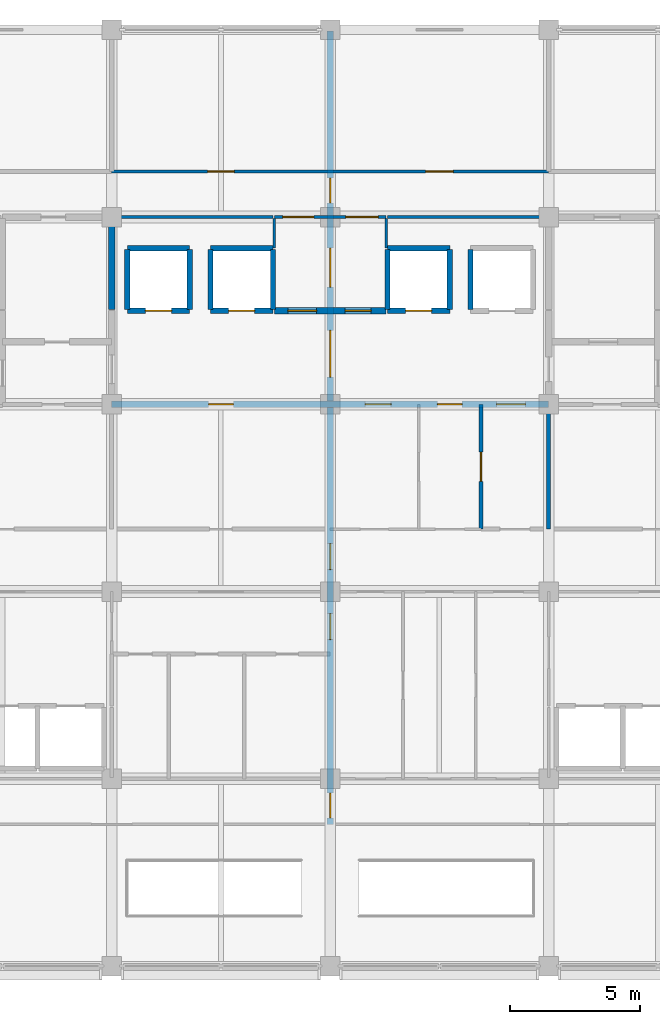
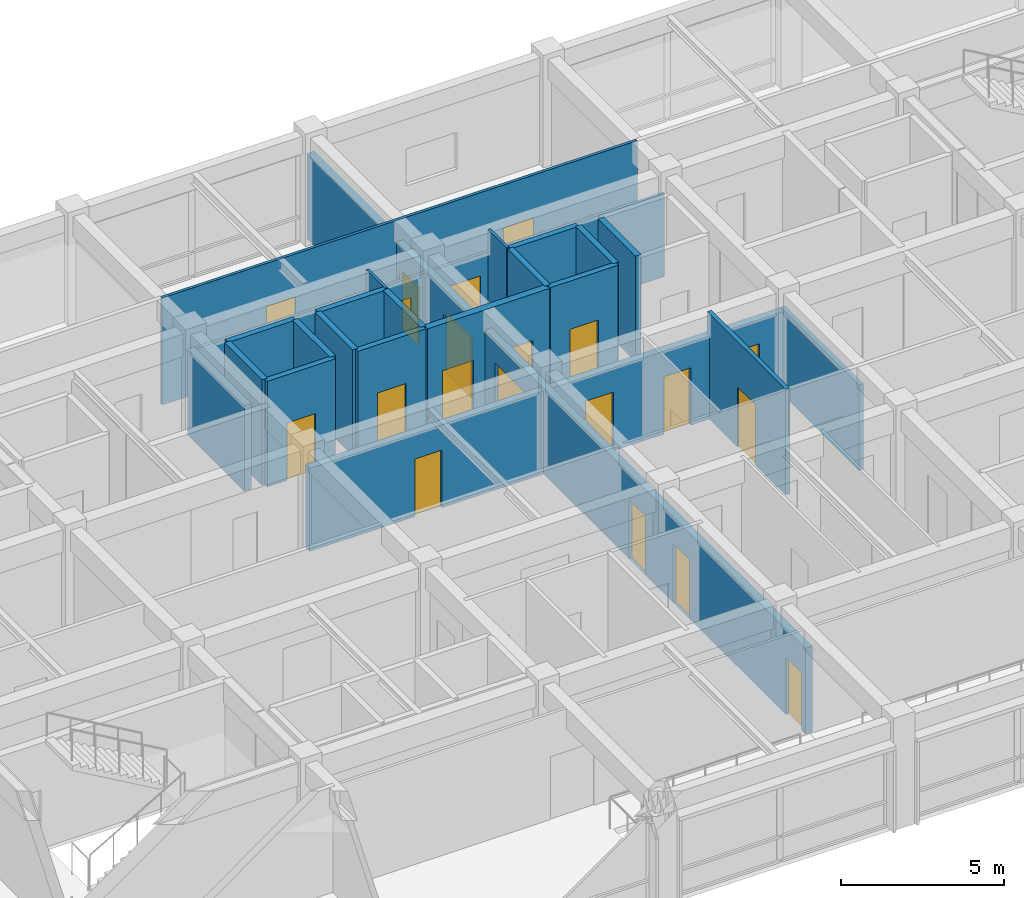
# One storey, part 16 of 23: 25 walls, 20 doors, 20 openings.
"""IFC4 building model written with IfcOpenShell, lengths in metres."""

from ifc_helpers import new_model, si_unit, direction, frame, frame_2d, origin, place, context, subcontext, project, spatial, rectangle, extrude, material, layer, layer_set, type_object, element, fill, save


model = new_model("IFC4")

# Units and contexts
model_context = context("Model", 3, precision=1e-05, world=origin(), true_north=direction((0.0, 1.0)))
body_context = subcontext(model_context, "Body", "Model", "MODEL_VIEW")
ifc_project = project(units=[si_unit("LENGTHUNIT", "METRE"), si_unit("AREAUNIT", "SQUARE_METRE"), si_unit("VOLUMEUNIT", "CUBIC_METRE"), si_unit("PLANEANGLEUNIT", "RADIAN"), si_unit("MASSUNIT", "GRAM", prefix="KILO")], contexts=[model_context])

# Site, building, storey
site_placement = place(None, origin())
site = spatial("IfcSite", under=ifc_project, at=site_placement, CompositionType="ELEMENT")
building_placement = place(site_placement, origin())
building = spatial("IfcBuilding", under=site, at=building_placement, Name="Chengyuan Square Courthouse", CompositionType="ELEMENT")
storey_placement = place(building_placement, frame((0.0, 0.0, 43.5)))
storey = spatial("IfcBuildingStorey", under=building, at=storey_placement, Name="L10", CompositionType="ELEMENT", Elevation=43.5)

# Wall, openings, doors
ifc_material_1 = material(Name="Concrete C40", Category="concrete")
ifc_layer_1 = layer(ifc_material_1, 0.25)
ifc_layer_set_1 = layer_set([ifc_layer_1], Name="Concrete C40")
wall_type_1 = type_object("IfcWallType", Name="WL-FW1", PredefinedType="STANDARD", material=ifc_layer_set_1)
wall_1_placement = place(storey_placement, frame((75.60009765625, 100.800048828125, 0.0), z_axis=(0.0, 0.0, 1.0), x_axis=(1.0, 0.0, 0.0)))
wall_1 = element("IfcWall", 1, at=wall_1_placement, inside=storey, type_object=wall_type_1, Name="Interior Wall WL-L10-I3344", PredefinedType="STANDARD", context=body_context, shape_type="SweptSolid", body=[
    extrude(rectangle(XDim=16.7998046875, YDim=0.25, at=frame_2d((8.39990234375, 0.0))), origin(), (0.0, 0.0, 1.0), 3.10009765625),
])
opening_1_placement = place(wall_1_placement, frame((3.72509765625, 0.0, 0.0)))
opening_1 = element("IfcOpeningElement", 2, at=opening_1_placement, cuts=wall_1, Name="Opening DR-2812", PredefinedType="OPENING", context=body_context, shape_type="SweptSolid", body=[
    extrude(rectangle(XDim=0.949951171875, YDim=2.14990234375, at=frame_2d((0.47509765625, 1.074951171875))), frame((0.0, 0.136962890625, 0.0), z_axis=(0.0, -1.0, 0.0), x_axis=(1.0, 0.0, 0.0)), (0.0, 0.0, 1.0), 0.27392578125),
])
opening_2_placement = place(wall_1_placement, frame((9.74755859375, 0.0, 0.0)))
opening_2 = element("IfcOpeningElement", 3, at=opening_2_placement, cuts=wall_1, Name="Opening DR-2814", PredefinedType="OPENING", context=body_context, shape_type="SweptSolid", body=[
    extrude(rectangle(XDim=1.0, YDim=2.199951171875, at=frame_2d((0.5, 1.10009765625))), frame((0.0, 0.136962890625, 0.0), z_axis=(0.0, -1.0, 0.0), x_axis=(1.0, 0.0, 0.0)), (0.0, 0.0, 1.0), 0.27392578125),
])
opening_3_placement = place(wall_1_placement, frame((12.52490234375, 0.0, 0.0)))
opening_3 = element("IfcOpeningElement", 4, at=opening_3_placement, cuts=wall_1, Name="Opening DR-2815", PredefinedType="OPENING", context=body_context, shape_type="SweptSolid", body=[
    extrude(rectangle(XDim=0.949951171875, YDim=2.14990234375, at=frame_2d((0.47509765625, 1.074951171875))), frame((0.0, 0.136962890625, 0.0), z_axis=(0.0, -1.0, 0.0), x_axis=(1.0, 0.0, 0.0)), (0.0, 0.0, 1.0), 0.27392578125),
])
opening_4_placement = place(wall_1_placement, frame((14.802490234375, 0.0, 0.0)))
opening_4 = element("IfcOpeningElement", 5, at=opening_4_placement, cuts=wall_1, Name="Opening DR-2816", PredefinedType="OPENING", context=body_context, shape_type="SweptSolid", body=[
    extrude(rectangle(XDim=1.10009765625, YDim=2.199951171875, at=frame_2d((0.550048828125, 1.10009765625))), frame((0.0, 0.136962890625, 0.0), z_axis=(0.0, -1.0, 0.0), x_axis=(1.0, 0.0, 0.0)), (0.0, 0.0, 1.0), 0.27392578125),
])
ifc_material_2 = material(Name="Steel Q235B Fire Door", Category="steel")
door_type_1 = type_object("IfcDoorType", Name="DT-10", OperationType="NOTDEFINED", PredefinedType="DOOR", material=ifc_material_2)
door_1_placement = place(opening_4_placement, origin())
door_1 = element("IfcDoor", 6, at=door_1_placement, inside=storey, type_object=door_type_1, Name="Interior Door DR-2816", OperationType="SINGLE_SWING_LEFT", OverallHeight=2.199951171875, OverallWidth=1.10009765625, PredefinedType="DOOR", context=body_context, shape_type="SweptSolid", body=[
    extrude(rectangle(XDim=1.10009765625, YDim=2.199951171875, at=frame_2d((0.550048828125, 1.10009765625))), frame((0.0, 0.02490234375, 0.0), z_axis=(0.0, -1.0, 0.0), x_axis=(1.0, 0.0, 0.0)), (0.0, 0.0, 1.0), 0.050048828125),
])
fill(opening_4, door_1)
door_type_2 = type_object("IfcDoorType", Name="DT-11", OperationType="NOTDEFINED", PredefinedType="DOOR", material=ifc_material_2)
door_2_placement = place(opening_2_placement, origin())
door_2 = element("IfcDoor", 7, at=door_2_placement, inside=storey, type_object=door_type_2, Name="Interior Door DR-2814", OperationType="SINGLE_SWING_LEFT", OverallHeight=2.199951171875, OverallWidth=1.0, PredefinedType="DOOR", context=body_context, shape_type="SweptSolid", body=[
    extrude(rectangle(XDim=1.0, YDim=2.199951171875, at=frame_2d((0.5, 1.10009765625))), frame((0.0, 0.02490234375, 0.0), z_axis=(0.0, -1.0, 0.0), x_axis=(1.0, 0.0, 0.0)), (0.0, 0.0, 1.0), 0.050048828125),
])
fill(opening_2, door_2)
door_type_3 = type_object("IfcDoorType", Name="DT-12", OperationType="NOTDEFINED", PredefinedType="DOOR", material=ifc_material_2)
door_3_placement = place(opening_1_placement, origin())
door_3 = element("IfcDoor", 8, at=door_3_placement, inside=storey, type_object=door_type_3, Name="Interior Door DR-2812", OperationType="SINGLE_SWING_LEFT", OverallHeight=2.14990234375, OverallWidth=0.949951171875, PredefinedType="DOOR", context=body_context, shape_type="SweptSolid", body=[
    extrude(rectangle(XDim=0.949951171875, YDim=2.14990234375, at=frame_2d((0.47509765625, 1.074951171875))), frame((0.0, 0.02490234375, 0.0), z_axis=(0.0, -1.0, 0.0), x_axis=(1.0, 0.0, 0.0)), (0.0, 0.0, 1.0), 0.050048828125),
])
fill(opening_1, door_3)
door_4_placement = place(opening_3_placement, origin())
door_4 = element("IfcDoor", 9, at=door_4_placement, inside=storey, type_object=door_type_3, Name="Interior Door DR-2815", OperationType="SINGLE_SWING_RIGHT", OverallHeight=2.14990234375, OverallWidth=0.949951171875, PredefinedType="DOOR", context=body_context, shape_type="SweptSolid", body=[
    extrude(rectangle(XDim=0.949951171875, YDim=2.14990234375, at=frame_2d((0.47509765625, 1.074951171875))), frame((0.0, 0.02490234375, 0.0), z_axis=(0.0, -1.0, 0.0), x_axis=(1.0, 0.0, 0.0)), (0.0, 0.0, 1.0), 0.050048828125),
])
fill(opening_3, door_4)

wall_2_placement = place(storey_placement, frame((81.85009765625, 104.39990234375, 0.0), z_axis=(0.0, 0.0, 1.0), x_axis=(1.0, 0.0, 0.0)))
wall_2 = element("IfcWall", 10, at=wall_2_placement, inside=storey, type_object=wall_type_1, Name="Interior Wall WL-L10-I3365", PredefinedType="STANDARD", context=body_context, shape_type="SweptSolid", body=[
    extrude(rectangle(XDim=4.2998046875, YDim=0.25, at=frame_2d((2.14990234375, 0.0))), origin(), (0.0, 0.0, 1.0), 3.949951171875),
])
opening_5_placement = place(wall_2_placement, frame((0.52490234375, 0.0, 0.0)))
opening_5 = element("IfcOpeningElement", 11, at=opening_5_placement, cuts=wall_2, Name="Opening DR-2813", PredefinedType="OPENING", context=body_context, shape_type="SweptSolid", body=[
    extrude(rectangle(XDim=1.10009765625, YDim=2.199951171875, at=frame_2d((0.550048828125, 1.10009765625))), frame((0.0, 0.136962890625, 0.0), z_axis=(0.0, -1.0, 0.0), x_axis=(1.0, 0.0, 0.0)), (0.0, 0.0, 1.0), 0.27392578125),
])
opening_6_placement = place(wall_2_placement, frame((2.72509765625, 0.0, 0.0)))
opening_6 = element("IfcOpeningElement", 12, at=opening_6_placement, cuts=wall_2, Name="Opening DR-2817", PredefinedType="OPENING", context=body_context, shape_type="SweptSolid", body=[
    extrude(rectangle(XDim=1.0, YDim=2.199951171875, at=frame_2d((0.5, 1.10009765625))), frame((0.0, 0.136962890625, 0.0), z_axis=(0.0, -1.0, 0.0), x_axis=(1.0, 0.0, 0.0)), (0.0, 0.0, 1.0), 0.27392578125),
])
door_5_placement = place(opening_5_placement, origin())
door_5 = element("IfcDoor", 13, at=door_5_placement, inside=storey, type_object=door_type_1, Name="Interior Door DR-2813", OperationType="SINGLE_SWING_RIGHT", OverallHeight=2.199951171875, OverallWidth=1.10009765625, PredefinedType="DOOR", context=body_context, shape_type="SweptSolid", body=[
    extrude(rectangle(XDim=1.10009765625, YDim=2.199951171875, at=frame_2d((0.550048828125, 1.10009765625))), frame((0.0, 0.02490234375, 0.0), z_axis=(0.0, -1.0, 0.0), x_axis=(1.0, 0.0, 0.0)), (0.0, 0.0, 1.0), 0.050048828125),
])
fill(opening_5, door_5)
door_6_placement = place(opening_6_placement, origin())
door_6 = element("IfcDoor", 14, at=door_6_placement, inside=storey, type_object=door_type_2, Name="Interior Door DR-2817", OperationType="SINGLE_SWING_RIGHT", OverallHeight=2.199951171875, OverallWidth=1.0, PredefinedType="DOOR", context=body_context, shape_type="SweptSolid", body=[
    extrude(rectangle(XDim=1.0, YDim=2.199951171875, at=frame_2d((0.5, 1.10009765625))), frame((0.0, 0.02490234375, 0.0), z_axis=(0.0, -1.0, 0.0), x_axis=(1.0, 0.0, 0.0)), (0.0, 0.0, 1.0), 0.050048828125),
])
fill(opening_6, door_6)

# Wall
wall_3_placement = place(storey_placement, frame((75.60009765625, 104.449951171875, 0.0), z_axis=(0.0, 0.0, 1.0), x_axis=(0.0, 1.0, 0.0)))
element("IfcWall", 15, at=wall_3_placement, inside=storey, type_object=wall_type_1, Name="Interior Wall WL-L10-I3443", PredefinedType="STANDARD", context=body_context, shape_type="SweptSolid", body=[
    extrude(rectangle(XDim=3.5, YDim=0.25, at=frame_2d((1.75, 0.0))), origin(), (0.0, 0.0, 1.0), 3.199951171875),
])

# Wall, openings, doors
wall_4_placement = place(storey_placement, frame((84.0, 84.64990234375, 0.0), z_axis=(0.0, 0.0, 1.0), x_axis=(0.0, 1.0, 0.0)))
wall_4 = element("IfcWall", 16, at=wall_4_placement, inside=storey, type_object=wall_type_1, Name="Interior Wall WL-L10-I3452", PredefinedType="STANDARD", context=body_context, shape_type="SweptSolid", body=[
    extrude(rectangle(XDim=30.510009765625, YDim=0.25, at=frame_2d((15.2548828125, 0.0))), origin(), (0.0, 0.0, 1.0), 3.199951171875),
])
opening_7_placement = place(wall_4_placement, frame((17.197509765625, 0.0, 0.0)))
opening_7 = element("IfcOpeningElement", 17, at=opening_7_placement, cuts=wall_4, Name="Opening DR-2811", PredefinedType="OPENING", context=body_context, shape_type="SweptSolid", body=[
    extrude(rectangle(XDim=1.800048828125, YDim=2.35009765625, at=frame_2d((0.89990234375, 1.175048828125))), frame((0.0, 0.136962890625, 0.0), z_axis=(0.0, -1.0, 0.0), x_axis=(1.0, 0.0, 0.0)), (0.0, 0.0, 1.0), 0.27392578125),
])
opening_8_placement = place(wall_4_placement, frame((7.1025390625, 0.0, 0.0)))
opening_8 = element("IfcOpeningElement", 18, at=opening_8_placement, cuts=wall_4, Name="Opening DR-2838", PredefinedType="OPENING", context=body_context, shape_type="SweptSolid", body=[
    extrude(rectangle(XDim=1.0, YDim=2.199951171875, at=frame_2d((0.5, 1.10009765625))), frame((0.0, 0.136962890625, 0.0), z_axis=(0.0, -1.0, 0.0), x_axis=(1.0, 0.0, 0.0)), (0.0, 0.0, 1.0), 0.27392578125),
])
opening_9_placement = place(wall_4_placement, frame((9.797607421875, 0.0, 0.0)))
opening_9 = element("IfcOpeningElement", 19, at=opening_9_placement, cuts=wall_4, Name="Opening DR-2841", PredefinedType="OPENING", context=body_context, shape_type="SweptSolid", body=[
    extrude(rectangle(XDim=1.0, YDim=2.199951171875, at=frame_2d((0.5, 1.10009765625))), frame((0.0, 0.136962890625, 0.0), z_axis=(0.0, -1.0, 0.0), x_axis=(1.0, 0.0, 0.0)), (0.0, 0.0, 1.0), 0.27392578125),
])
opening_10_placement = place(wall_4_placement, frame((20.652587890625, 0.0, 0.0)))
opening_10 = element("IfcOpeningElement", 20, at=opening_10_placement, cuts=wall_4, Name="Opening DR-2888", PredefinedType="OPENING", context=body_context, shape_type="SweptSolid", body=[
    extrude(rectangle(XDim=1.5, YDim=2.25, at=frame_2d((0.75, 1.125))), frame((0.0, 0.136962890625, 0.0), z_axis=(0.0, -1.0, 0.0), x_axis=(1.0, 0.0, 0.0)), (0.0, 0.0, 1.0), 0.27392578125),
])
opening_11_placement = place(wall_4_placement, frame((23.8974609375, 0.0, 0.0)))
opening_11 = element("IfcOpeningElement", 21, at=opening_11_placement, cuts=wall_4, Name="Opening DR-2891", PredefinedType="OPENING", context=body_context, shape_type="SweptSolid", body=[
    extrude(rectangle(XDim=0.949951171875, YDim=2.14990234375, at=frame_2d((0.47509765625, 1.074951171875))), frame((0.0, 0.136962890625, 0.0), z_axis=(0.0, -1.0, 0.0), x_axis=(1.0, 0.0, 0.0)), (0.0, 0.0, 1.0), 0.27392578125),
])
opening_12_placement = place(wall_4_placement, frame((0.25244140625, 0.0, 0.0)))
opening_12 = element("IfcOpeningElement", 22, at=opening_12_placement, cuts=wall_4, Name="Opening DR-2900", PredefinedType="OPENING", context=body_context, shape_type="SweptSolid", body=[
    extrude(rectangle(XDim=0.949951171875, YDim=2.14990234375, at=frame_2d((0.47509765625, 1.074951171875))), frame((0.0, 0.136962890625, 0.0), z_axis=(0.0, -1.0, 0.0), x_axis=(1.0, 0.0, 0.0)), (0.0, 0.0, 1.0), 0.27392578125),
])
door_7_placement = place(opening_8_placement, origin())
door_7 = element("IfcDoor", 23, at=door_7_placement, inside=storey, type_object=door_type_2, Name="Interior Door DR-2838", OperationType="SINGLE_SWING_RIGHT", OverallHeight=2.199951171875, OverallWidth=1.0, PredefinedType="DOOR", context=body_context, shape_type="SweptSolid", body=[
    extrude(rectangle(XDim=1.0, YDim=2.199951171875, at=frame_2d((0.5, 1.10009765625))), frame((0.0, 0.02490234375, 0.0), z_axis=(0.0, -1.0, 0.0), x_axis=(1.0, 0.0, 0.0)), (0.0, 0.0, 1.0), 0.050048828125),
])
fill(opening_8, door_7)
door_8_placement = place(opening_9_placement, origin())
door_8 = element("IfcDoor", 24, at=door_8_placement, inside=storey, type_object=door_type_2, Name="Interior Door DR-2841", OperationType="SINGLE_SWING_LEFT", OverallHeight=2.199951171875, OverallWidth=1.0, PredefinedType="DOOR", context=body_context, shape_type="SweptSolid", body=[
    extrude(rectangle(XDim=1.0, YDim=2.199951171875, at=frame_2d((0.5, 1.10009765625))), frame((0.0, 0.02490234375, 0.0), z_axis=(0.0, -1.0, 0.0), x_axis=(1.0, 0.0, 0.0)), (0.0, 0.0, 1.0), 0.050048828125),
])
fill(opening_9, door_8)
door_9_placement = place(opening_11_placement, origin())
door_9 = element("IfcDoor", 25, at=door_9_placement, inside=storey, type_object=door_type_3, Name="Interior Door DR-2891", OperationType="SINGLE_SWING_RIGHT", OverallHeight=2.14990234375, OverallWidth=0.949951171875, PredefinedType="DOOR", context=body_context, shape_type="SweptSolid", body=[
    extrude(rectangle(XDim=0.949951171875, YDim=2.14990234375, at=frame_2d((0.47509765625, 1.074951171875))), frame((0.0, 0.02490234375, 0.0), z_axis=(0.0, -1.0, 0.0), x_axis=(1.0, 0.0, 0.0)), (0.0, 0.0, 1.0), 0.050048828125),
])
fill(opening_11, door_9)
door_10_placement = place(opening_12_placement, origin())
door_10 = element("IfcDoor", 26, at=door_10_placement, inside=storey, type_object=door_type_3, Name="Interior Door DR-2900", OperationType="SINGLE_SWING_RIGHT", OverallHeight=2.14990234375, OverallWidth=0.949951171875, PredefinedType="DOOR", context=body_context, shape_type="SweptSolid", body=[
    extrude(rectangle(XDim=0.949951171875, YDim=2.14990234375, at=frame_2d((0.47509765625, 1.074951171875))), frame((0.0, 0.02490234375, 0.0), z_axis=(0.0, -1.0, 0.0), x_axis=(1.0, 0.0, 0.0)), (0.0, 0.0, 1.0), 0.050048828125),
])
fill(opening_12, door_10)
ifc_material_3 = material(Name="Steel Q235B Glazed Fire Door", Category="steel")
door_type_4 = type_object("IfcDoorType", Name="DT-18", OperationType="DOUBLE_DOOR_SINGLE_SWING", PredefinedType="DOOR", material=ifc_material_3)
door_11_placement = place(opening_7_placement, frame((1.800048828125, 0.0, 0.0), z_axis=(0.0, 0.0, 1.0), x_axis=(-1.0, 0.0, 0.0)))
door_11 = element("IfcDoor", 27, at=door_11_placement, inside=storey, type_object=door_type_4, Name="Interior Door DR-2811", OperationType="DOUBLE_DOOR_SINGLE_SWING", OverallHeight=2.35009765625, OverallWidth=1.800048828125, PredefinedType="DOOR", context=body_context, shape_type="SweptSolid", body=[
    extrude(rectangle(XDim=1.800048828125, YDim=2.35009765625, at=frame_2d((0.89990234375, 1.175048828125))), frame((0.0, 0.02490234375, 0.0), z_axis=(0.0, -1.0, 0.0), x_axis=(1.0, 0.0, 0.0)), (0.0, 0.0, 1.0), 0.050048828125),
])
fill(opening_7, door_11)
door_type_5 = type_object("IfcDoorType", Name="DT-19", OperationType="DOUBLE_DOOR_SINGLE_SWING", PredefinedType="DOOR", material=ifc_material_3)
door_12_placement = place(opening_10_placement, frame((1.5, 0.0, 0.0), z_axis=(0.0, 0.0, 1.0), x_axis=(-1.0, 0.0, 0.0)))
door_12 = element("IfcDoor", 28, at=door_12_placement, inside=storey, type_object=door_type_5, Name="Interior Door DR-2888", OperationType="DOUBLE_DOOR_SINGLE_SWING", OverallHeight=2.25, OverallWidth=1.5, PredefinedType="DOOR", context=body_context, shape_type="SweptSolid", body=[
    extrude(rectangle(XDim=1.5, YDim=2.25, at=frame_2d((0.75, 1.125))), frame((0.0, 0.02490234375, 0.0), z_axis=(0.0, -1.0, 0.0), x_axis=(1.0, 0.0, 0.0)), (0.0, 0.0, 1.0), 0.050048828125),
])
fill(opening_10, door_12)

# Wall, opening, door
ifc_material_4 = material(Name="Deliberation Room Sound-Insulated Partition")
ifc_layer_2 = layer(ifc_material_4, 0.14990234375)
ifc_layer_set_2 = layer_set([ifc_layer_2], Name="Deliberation Room Sound-Insulated Partition")
wall_type_2 = type_object("IfcWallType", Name="WL-PT3", PredefinedType="STANDARD", material=ifc_layer_set_2)
wall_5_placement = place(storey_placement, frame((89.800048828125, 96.0, 0.0), z_axis=(0.0, 0.0, 1.0), x_axis=(0.0, 1.0, 0.0)))
wall_5 = element("IfcWall", 29, at=wall_5_placement, inside=storey, type_object=wall_type_2, Name="Interior Wall WL-L10-I3460", PredefinedType="STANDARD", context=body_context, shape_type="SweptSolid", body=[
    extrude(rectangle(XDim=4.800048828125, YDim=0.14990234375, at=frame_2d((2.39990234375, 0.0))), origin(), (0.0, 0.0, 1.0), 3.949951171875),
])
opening_13_placement = place(wall_5_placement, frame((1.840087890625, 0.0, 0.0)))
opening_13 = element("IfcOpeningElement", 30, at=opening_13_placement, cuts=wall_5, Name="Opening DR-2870", PredefinedType="OPENING", context=body_context, shape_type="SweptSolid", body=[
    extrude(rectangle(XDim=1.1201171875, YDim=2.25, at=frame_2d((0.56005859375, 1.125))), frame((0.0, 0.0869140625, 0.0), z_axis=(0.0, -1.0, 0.0), x_axis=(1.0, 0.0, 0.0)), (0.0, 0.0, 1.0), 0.173828125),
])
ifc_material_5 = material(Name="Acoustic Solid-Core Timber Door", Category="wood")
door_type_6 = type_object("IfcDoorType", Name="DT-34", OperationType="NOTDEFINED", PredefinedType="DOOR", material=ifc_material_5)
door_13_placement = place(opening_13_placement, origin())
door_13 = element("IfcDoor", 31, at=door_13_placement, inside=storey, type_object=door_type_6, Name="Interior Door DR-2870", OperationType="SINGLE_SWING_RIGHT", OverallHeight=2.25, OverallWidth=1.1201171875, PredefinedType="DOOR", context=body_context, shape_type="SweptSolid", body=[
    extrude(rectangle(XDim=1.1201171875, YDim=2.25, at=frame_2d((0.56005859375, 1.125))), frame((0.0, 0.02490234375, 0.0), z_axis=(0.0, -1.0, 0.0), x_axis=(1.0, 0.0, 0.0)), (0.0, 0.0, 1.0), 0.050048828125),
])
fill(opening_13, door_13)

# Walls
wall_6_placement = place(storey_placement, frame((92.39990234375, 96.0, 0.0), z_axis=(0.0, 0.0, 1.0), x_axis=(0.0, 1.0, 0.0)))
element("IfcWall", 32, at=wall_6_placement, inside=storey, type_object=wall_type_2, Name="Interior Wall WL-L10-I3464", PredefinedType="STANDARD", context=body_context, shape_type="SweptSolid", body=[
    extrude(rectangle(XDim=4.800048828125, YDim=0.14990234375, at=frame_2d((2.39990234375, 0.0))), origin(), (0.0, 0.0, 1.0), 3.199951171875),
])
ifc_material_6 = material(Name="Gypsum Plasterboard Acoustic Stud Partition")
ifc_layer_3 = layer(ifc_material_6, 0.10009765625)
ifc_layer_set_3 = layer_set([ifc_layer_3], Name="Gypsum Plasterboard Acoustic Stud Partition")
wall_type_3 = type_object("IfcWallType", Name="WL-PT6", PredefinedType="STANDARD", material=ifc_layer_set_3)
wall_7_placement = place(storey_placement, frame((75.64990234375, 108.0, 0.0), z_axis=(0.0, 0.0, 1.0), x_axis=(1.0, 0.0, 0.0)))
element("IfcWall", 33, at=wall_7_placement, inside=storey, type_object=wall_type_3, Name="Interior Wall WL-L10-I3387", PredefinedType="STANDARD", context=body_context, shape_type="SweptSolid", body=[
    extrude(rectangle(XDim=6.150146484375, YDim=0.10009765625, at=frame_2d((3.0751953125, 0.0))), origin(), (0.0, 0.0, 1.0), 3.10009765625),
])

# Wall, openings, doors
wall_8_placement = place(storey_placement, frame((81.85009765625, 108.0, 0.0), z_axis=(0.0, 0.0, 1.0), x_axis=(1.0, 0.0, 0.0)))
wall_8 = element("IfcWall", 34, at=wall_8_placement, inside=storey, type_object=wall_type_3, Name="Interior Wall WL-L10-I3388", PredefinedType="STANDARD", context=body_context, shape_type="SweptSolid", body=[
    extrude(rectangle(XDim=4.2998046875, YDim=0.10009765625, at=frame_2d((2.14990234375, 0.0))), origin(), (0.0, 0.0, 1.0), 3.10009765625),
])
opening_14_placement = place(wall_8_placement, frame((0.327392578125, 0.0, 0.0)))
opening_14 = element("IfcOpeningElement", 35, at=opening_14_placement, cuts=wall_8, Name="Opening DR-2889", PredefinedType="OPENING", context=body_context, shape_type="SweptSolid", body=[
    extrude(rectangle(XDim=1.199951171875, YDim=2.35009765625, at=frame_2d((0.60009765625, 1.175048828125))), frame((0.0, 0.06201171875, 0.0), z_axis=(0.0, -1.0, 0.0), x_axis=(1.0, 0.0, 0.0)), (0.0, 0.0, 1.0), 0.1240234375),
])
opening_15_placement = place(wall_8_placement, frame((2.75244140625, 0.0, 0.0)))
opening_15 = element("IfcOpeningElement", 36, at=opening_15_placement, cuts=wall_8, Name="Opening DR-2890", PredefinedType="OPENING", context=body_context, shape_type="SweptSolid", body=[
    extrude(rectangle(XDim=1.239990234375, YDim=2.300048828125, at=frame_2d((0.6201171875, 1.14990234375))), frame((0.0, 0.06201171875, 0.0), z_axis=(0.0, -1.0, 0.0), x_axis=(1.0, 0.0, 0.0)), (0.0, 0.0, 1.0), 0.1240234375),
])
door_type_7 = type_object("IfcDoorType", Name="DT-36", OperationType="NOTDEFINED", PredefinedType="DOOR", material=ifc_material_5)
door_14_placement = place(opening_14_placement, origin())
door_14 = element("IfcDoor", 37, at=door_14_placement, inside=storey, type_object=door_type_7, Name="Interior Door DR-2889", OperationType="SINGLE_SWING_RIGHT", OverallHeight=2.35009765625, OverallWidth=1.199951171875, PredefinedType="DOOR", context=body_context, shape_type="SweptSolid", body=[
    extrude(rectangle(XDim=1.199951171875, YDim=2.35009765625, at=frame_2d((0.60009765625, 1.175048828125))), frame((0.0, 0.02490234375, 0.0), z_axis=(0.0, -1.0, 0.0), x_axis=(1.0, 0.0, 0.0)), (0.0, 0.0, 1.0), 0.050048828125),
])
fill(opening_14, door_14)
door_type_8 = type_object("IfcDoorType", Name="DT-37", OperationType="NOTDEFINED", PredefinedType="DOOR", material=ifc_material_5)
door_15_placement = place(opening_15_placement, origin())
door_15 = element("IfcDoor", 38, at=door_15_placement, inside=storey, type_object=door_type_8, Name="Interior Door DR-2890", OperationType="SINGLE_SWING_LEFT", OverallHeight=2.300048828125, OverallWidth=1.239990234375, PredefinedType="DOOR", context=body_context, shape_type="SweptSolid", body=[
    extrude(rectangle(XDim=1.239990234375, YDim=2.300048828125, at=frame_2d((0.6201171875, 1.14990234375))), frame((0.0, 0.02490234375, 0.0), z_axis=(0.0, -1.0, 0.0), x_axis=(1.0, 0.0, 0.0)), (0.0, 0.0, 1.0), 0.050048828125),
])
fill(opening_15, door_15)

# Wall
wall_9_placement = place(storey_placement, frame((86.199951171875, 108.0, 0.0), z_axis=(0.0, 0.0, 1.0), x_axis=(1.0, 0.0, 0.0)))
element("IfcWall", 39, at=wall_9_placement, inside=storey, type_object=wall_type_3, Name="Interior Wall WL-L10-I3389", PredefinedType="STANDARD", context=body_context, shape_type="SweptSolid", body=[
    extrude(rectangle(XDim=6.150146484375, YDim=0.10009765625, at=frame_2d((3.0751953125, 0.0))), origin(), (0.0, 0.0, 1.0), 3.10009765625),
])

# Wall, openings, doors
wall_10_placement = place(storey_placement, frame((75.60009765625, 109.75, 0.0), z_axis=(0.0, 0.0, 1.0), x_axis=(1.0, 0.0, 0.0)))
wall_10 = element("IfcWall", 40, at=wall_10_placement, inside=storey, type_object=wall_type_3, Name="Interior Wall WL-L10-I3397", PredefinedType="STANDARD", context=body_context, shape_type="SweptSolid", body=[
    extrude(rectangle(XDim=16.7998046875, YDim=0.10009765625, at=frame_2d((8.39990234375, 0.0))), origin(), (0.0, 0.0, 1.0), 4.0),
])
opening_16_placement = place(wall_10_placement, frame((3.68994140625, 0.0, 0.0)))
opening_16 = element("IfcOpeningElement", 41, at=opening_16_placement, cuts=wall_10, Name="Opening DR-2894", PredefinedType="OPENING", context=body_context, shape_type="SweptSolid", body=[
    extrude(rectangle(XDim=1.02001953125, YDim=2.39990234375, at=frame_2d((0.510009765625, 1.199951171875))), frame((0.0, 0.06201171875, 0.0), z_axis=(0.0, -1.0, 0.0), x_axis=(1.0, 0.0, 0.0)), (0.0, 0.0, 1.0), 0.1240234375),
])
opening_17_placement = place(wall_10_placement, frame((12.070068359375, 0.0, 0.0)))
opening_17 = element("IfcOpeningElement", 42, at=opening_17_placement, cuts=wall_10, Name="Opening DR-2895", PredefinedType="OPENING", context=body_context, shape_type="SweptSolid", body=[
    extrude(rectangle(XDim=1.06005859375, YDim=2.39990234375, at=frame_2d((0.530029296875, 1.199951171875))), frame((0.0, 0.06201171875, 0.0), z_axis=(0.0, -1.0, 0.0), x_axis=(1.0, 0.0, 0.0)), (0.0, 0.0, 1.0), 0.1240234375),
])
door_type_9 = type_object("IfcDoorType", Name="DT-41", OperationType="NOTDEFINED", PredefinedType="DOOR", material=ifc_material_5)
door_16_placement = place(opening_16_placement, origin())
door_16 = element("IfcDoor", 43, at=door_16_placement, inside=storey, type_object=door_type_9, Name="Interior Door DR-2894", OperationType="SINGLE_SWING_RIGHT", OverallHeight=2.39990234375, OverallWidth=1.02001953125, PredefinedType="DOOR", context=body_context, shape_type="SweptSolid", body=[
    extrude(rectangle(XDim=1.02001953125, YDim=2.39990234375, at=frame_2d((0.510009765625, 1.199951171875))), frame((0.0, 0.02490234375, 0.0), z_axis=(0.0, -1.0, 0.0), x_axis=(1.0, 0.0, 0.0)), (0.0, 0.0, 1.0), 0.050048828125),
])
fill(opening_16, door_16)
door_type_10 = type_object("IfcDoorType", Name="DT-42", OperationType="NOTDEFINED", PredefinedType="DOOR", material=ifc_material_5)
door_17_placement = place(opening_17_placement, origin())
door_17 = element("IfcDoor", 44, at=door_17_placement, inside=storey, type_object=door_type_10, Name="Interior Door DR-2895", OperationType="SINGLE_SWING_LEFT", OverallHeight=2.39990234375, OverallWidth=1.06005859375, PredefinedType="DOOR", context=body_context, shape_type="SweptSolid", body=[
    extrude(rectangle(XDim=1.06005859375, YDim=2.39990234375, at=frame_2d((0.530029296875, 1.199951171875))), frame((0.0, 0.02490234375, 0.0), z_axis=(0.0, -1.0, 0.0), x_axis=(1.0, 0.0, 0.0)), (0.0, 0.0, 1.0), 0.050048828125),
])
fill(opening_17, door_17)

# Walls
for number, where, z_axis, x_axis, name in (
    (45, (81.85009765625, 106.800048828125, 0.0), (0.0, 0.0, 1.0), (0.0, 1.0, 0.0), "Interior Wall WL-L10-I3451"),
    (46, (86.14990234375, 106.800048828125, 0.0), (0.0, 0.0, 1.0), (0.0, 1.0, 0.0), "Interior Wall WL-L10-I3453"),
):
    element("IfcWall", number, at=place(storey_placement, frame(where, z_axis=z_axis, x_axis=x_axis)), inside=storey, type_object=wall_type_3, Name=name, PredefinedType="STANDARD", context=body_context, shape_type="SweptSolid", body=[
        extrude(rectangle(XDim=1.14990234375, YDim=0.10009765625, at=frame_2d((0.574951171875, 0.0))), origin(), (0.0, 0.0, 1.0), 3.949951171875),
    ])

# Wall, opening, door
ifc_material_7 = material(Name="Reinforced Masonry Shaft Enclosure", Category="masonry")
ifc_layer_4 = layer(ifc_material_7, 0.199951171875)
ifc_layer_set_4 = layer_set([ifc_layer_4], Name="Reinforced Masonry Shaft Enclosure")
wall_type_4 = type_object("IfcWallType", Name="WL-SH1", PredefinedType="STANDARD", material=ifc_layer_set_4)
wall_11_placement = place(storey_placement, frame((76.199951171875, 104.39990234375, 0.0), z_axis=(0.0, 0.0, 1.0), x_axis=(1.0, 0.0, 0.0)))
wall_11 = element("IfcWall", 47, at=wall_11_placement, inside=storey, type_object=wall_type_4, Name="Interior Wall WL-L10-I3363", PredefinedType="STANDARD", context=body_context, shape_type="SweptSolid", body=[
    extrude(rectangle(XDim=2.400146484375, YDim=0.199951171875, at=frame_2d((1.2001953125, 0.0))), origin(), (0.0, 0.0, 1.0), 3.949951171875),
])
opening_18_placement = place(wall_11_placement, frame((0.699951171875, 0.0, 0.0)))
opening_18 = element("IfcOpeningElement", 48, at=opening_18_placement, cuts=wall_11, Name="Opening LD-169", PredefinedType="OPENING", context=body_context, shape_type="SweptSolid", body=[
    extrude(rectangle(XDim=1.0, YDim=2.14990234375, at=frame_2d((0.5, 1.074951171875))), frame((0.0, 0.112060546875, 0.0), z_axis=(0.0, -1.0, 0.0), x_axis=(1.0, 0.0, 0.0)), (0.0, 0.0, 1.0), 0.223876953125),
])
ifc_material_8 = material(Name="Stainless Steel S30408 Lift Landing Door", Category="steel")
door_type_11 = type_object("IfcDoorType", Name="DT-07", OperationType="DOUBLE_DOOR_SLIDING", PredefinedType="DOOR", material=ifc_material_8)
door_18_placement = place(opening_18_placement, origin())
door_18 = element("IfcDoor", 49, at=door_18_placement, inside=storey, type_object=door_type_11, Name="Lift Landing Door LF-J1 L10", OperationType="DOUBLE_DOOR_SLIDING", OverallHeight=2.14990234375, OverallWidth=1.0, PredefinedType="DOOR", context=body_context, shape_type="SweptSolid", body=[
    extrude(rectangle(XDim=1.0, YDim=2.14990234375, at=frame_2d((0.5, 1.074951171875))), frame((0.0, 0.02490234375, 0.0), z_axis=(0.0, -1.0, 0.0), x_axis=(1.0, 0.0, 0.0)), (0.0, 0.0, 1.0), 0.050048828125),
])
fill(opening_18, door_18)

wall_12_placement = place(storey_placement, frame((79.39990234375, 104.39990234375, 0.0), z_axis=(0.0, 0.0, 1.0), x_axis=(1.0, 0.0, 0.0)))
wall_12 = element("IfcWall", 50, at=wall_12_placement, inside=storey, type_object=wall_type_4, Name="Interior Wall WL-L10-I3364", PredefinedType="STANDARD", context=body_context, shape_type="SweptSolid", body=[
    extrude(rectangle(XDim=2.400146484375, YDim=0.199951171875, at=frame_2d((1.2001953125, 0.0))), origin(), (0.0, 0.0, 1.0), 3.949951171875),
])
opening_19_placement = place(wall_12_placement, frame((0.699951171875, 0.0, 0.0)))
opening_19 = element("IfcOpeningElement", 51, at=opening_19_placement, cuts=wall_12, Name="Opening LD-170", PredefinedType="OPENING", context=body_context, shape_type="SweptSolid", body=[
    extrude(rectangle(XDim=1.0, YDim=2.14990234375, at=frame_2d((0.5, 1.074951171875))), frame((0.0, 0.112060546875, 0.0), z_axis=(0.0, -1.0, 0.0), x_axis=(1.0, 0.0, 0.0)), (0.0, 0.0, 1.0), 0.223876953125),
])
door_19_placement = place(opening_19_placement, origin())
door_19 = element("IfcDoor", 52, at=door_19_placement, inside=storey, type_object=door_type_11, Name="Lift Landing Door LF-J2 L10", OperationType="DOUBLE_DOOR_SLIDING", OverallHeight=2.14990234375, OverallWidth=1.0, PredefinedType="DOOR", context=body_context, shape_type="SweptSolid", body=[
    extrude(rectangle(XDim=1.0, YDim=2.14990234375, at=frame_2d((0.5, 1.074951171875))), frame((0.0, 0.02490234375, 0.0), z_axis=(0.0, -1.0, 0.0), x_axis=(1.0, 0.0, 0.0)), (0.0, 0.0, 1.0), 0.050048828125),
])
fill(opening_19, door_19)

wall_13_placement = place(storey_placement, frame((86.199951171875, 104.39990234375, 0.0), z_axis=(0.0, 0.0, 1.0), x_axis=(1.0, 0.0, 0.0)))
wall_13 = element("IfcWall", 53, at=wall_13_placement, inside=storey, type_object=wall_type_4, Name="Interior Wall WL-L10-I3366", PredefinedType="STANDARD", context=body_context, shape_type="SweptSolid", body=[
    extrude(rectangle(XDim=2.400146484375, YDim=0.199951171875, at=frame_2d((1.2001953125, 0.0))), origin(), (0.0, 0.0, 1.0), 3.949951171875),
])
opening_20_placement = place(wall_13_placement, frame((0.699951171875, 0.0, 0.0)))
opening_20 = element("IfcOpeningElement", 54, at=opening_20_placement, cuts=wall_13, Name="Opening LD-171", PredefinedType="OPENING", context=body_context, shape_type="SweptSolid", body=[
    extrude(rectangle(XDim=1.0, YDim=2.14990234375, at=frame_2d((0.5, 1.074951171875))), frame((0.0, 0.112060546875, 0.0), z_axis=(0.0, -1.0, 0.0), x_axis=(1.0, 0.0, 0.0)), (0.0, 0.0, 1.0), 0.223876953125),
])
door_20_placement = place(opening_20_placement, origin())
door_20 = element("IfcDoor", 55, at=door_20_placement, inside=storey, type_object=door_type_11, Name="Lift Landing Door LF-J3 L10", OperationType="DOUBLE_DOOR_SLIDING", OverallHeight=2.14990234375, OverallWidth=1.0, PredefinedType="DOOR", context=body_context, shape_type="SweptSolid", body=[
    extrude(rectangle(XDim=1.0, YDim=2.14990234375, at=frame_2d((0.5, 1.074951171875))), frame((0.0, 0.02490234375, 0.0), z_axis=(0.0, -1.0, 0.0), x_axis=(1.0, 0.0, 0.0)), (0.0, 0.0, 1.0), 0.050048828125),
])
fill(opening_20, door_20)

# Walls
for number, where, z_axis, x_axis, name in (
    (56, (76.199951171875, 106.800048828125, 0.0), (0.0, 0.0, 1.0), (1.0, 0.0, 0.0), "Interior Wall WL-L10-I3375"),
    (57, (79.39990234375, 106.800048828125, 0.0), (0.0, 0.0, 1.0), (1.0, 0.0, 0.0), "Interior Wall WL-L10-I3376"),
    (58, (86.199951171875, 106.800048828125, 0.0), (0.0, 0.0, 1.0), (1.0, 0.0, 0.0), "Interior Wall WL-L10-I3377"),
):
    element("IfcWall", number, at=place(storey_placement, frame(where, z_axis=z_axis, x_axis=x_axis)), inside=storey, type_object=wall_type_4, Name=name, PredefinedType="STANDARD", context=body_context, shape_type="SweptSolid", body=[
        extrude(rectangle(XDim=2.400146484375, YDim=0.199951171875, at=frame_2d((1.2001953125, 0.0))), origin(), (0.0, 0.0, 1.0), 3.949951171875),
    ])
for number, where, z_axis, x_axis, name in (
    (59, (76.199951171875, 104.449951171875, 0.0), (0.0, 0.0, 1.0), (0.0, 1.0, 0.0), "Interior Wall WL-L10-I3445"),
    (60, (78.60009765625, 104.449951171875, 0.0), (0.0, 0.0, 1.0), (0.0, 1.0, 0.0), "Interior Wall WL-L10-I3447"),
    (61, (79.39990234375, 104.449951171875, 0.0), (0.0, 0.0, 1.0), (0.0, 1.0, 0.0), "Interior Wall WL-L10-I3448"),
    (62, (81.800048828125, 104.449951171875, 0.0), (0.0, 0.0, 1.0), (0.0, 1.0, 0.0), "Interior Wall WL-L10-I3450"),
    (63, (86.199951171875, 104.449951171875, 0.0), (0.0, 0.0, 1.0), (0.0, 1.0, 0.0), "Interior Wall WL-L10-I3454"),
    (64, (88.60009765625, 104.449951171875, 0.0), (0.0, 0.0, 1.0), (0.0, 1.0, 0.0), "Interior Wall WL-L10-I3457"),
    (65, (89.39990234375, 104.449951171875, 0.0), (0.0, 0.0, 1.0), (0.0, 1.0, 0.0), "Interior Wall WL-L10-I3458"),
):
    element("IfcWall", number, at=place(storey_placement, frame(where, z_axis=z_axis, x_axis=x_axis)), inside=storey, type_object=wall_type_4, Name=name, PredefinedType="STANDARD", context=body_context, shape_type="SweptSolid", body=[
        extrude(rectangle(XDim=2.300048828125, YDim=0.199951171875, at=frame_2d((1.14990234375, 0.0))), origin(), (0.0, 0.0, 1.0), 3.949951171875),
    ])

save(model, "model.ifc")
